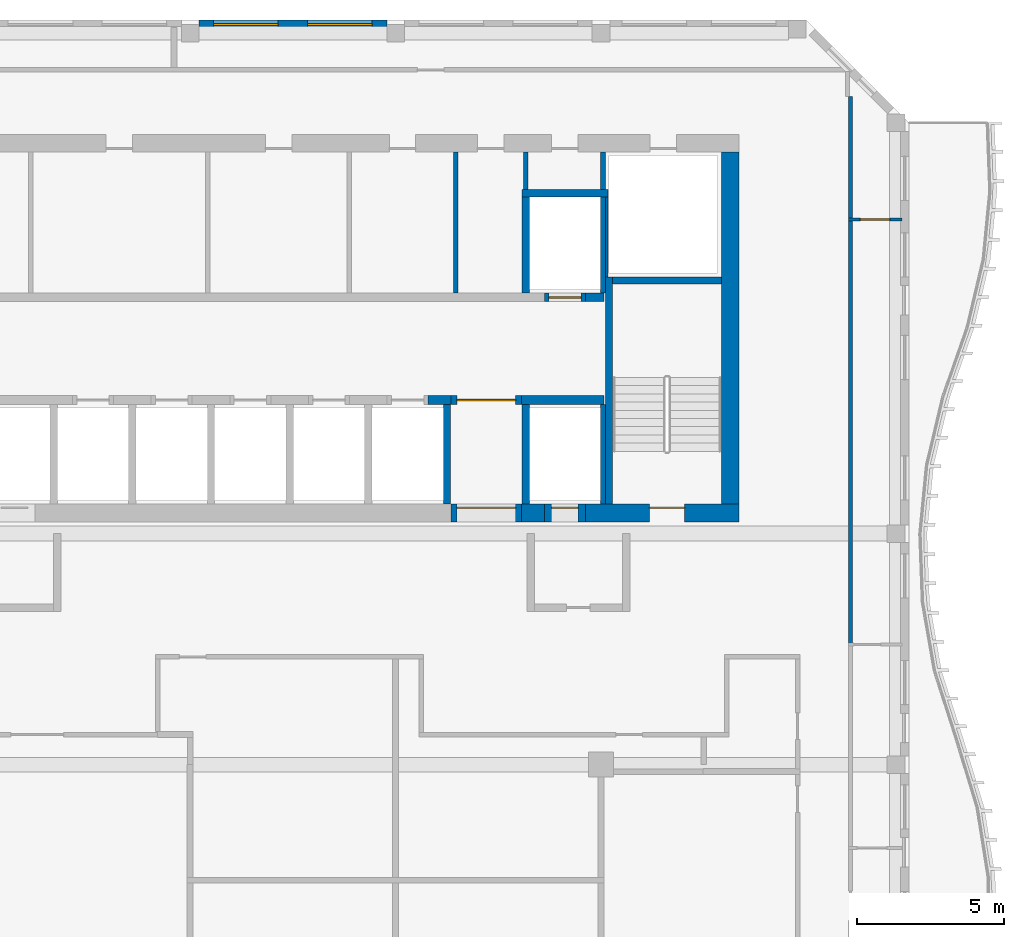
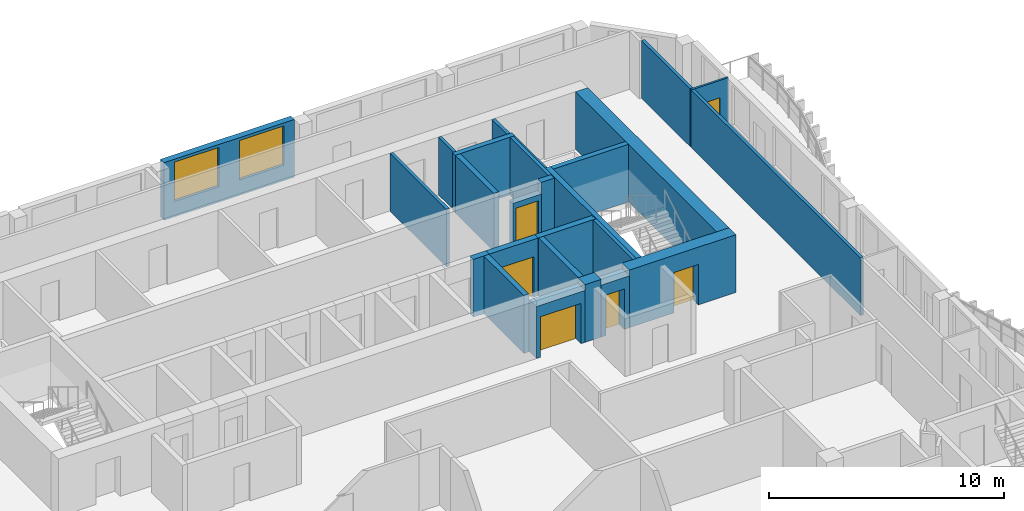
# One storey, part 8 of 14: 26 walls, 6 doors, 2 windows, 8 openings.
"""IFC4 building model written with IfcOpenShell, lengths in metres."""

from ifc_helpers import new_model, si_unit, direction, frame, frame_2d, origin, place, context, subcontext, project, spatial, rectangle, extrude, source, transform, mapped, material, layer, layer_set, type_object, element, fill, save


model = new_model("IFC4")

# Units and contexts
model_context = context("Model", 3, precision=1e-05, world=origin(), true_north=direction((0.0, 1.0)))
body_context = subcontext(model_context, "Body", "Model", "MODEL_VIEW")
ifc_project = project(units=[si_unit("LENGTHUNIT", "METRE"), si_unit("AREAUNIT", "SQUARE_METRE"), si_unit("VOLUMEUNIT", "CUBIC_METRE"), si_unit("PLANEANGLEUNIT", "RADIAN"), si_unit("MASSUNIT", "GRAM", prefix="KILO")], contexts=[model_context])

# Site, building, storey
site_placement = place(None, origin())
site = spatial("IfcSite", under=ifc_project, at=site_placement, CompositionType="ELEMENT")
building_placement = place(site_placement, origin())
building = spatial("IfcBuilding", under=site, at=building_placement, Name="Kilnfold Tower and Market Hall", CompositionType="ELEMENT")
storey_placement = place(building_placement, frame((0.0, 0.0, 315.39990234375)))
storey = spatial("IfcBuildingStorey", under=building, at=storey_placement, Name="L79", CompositionType="ELEMENT", Elevation=315.39990234375)

# Walls
ifc_material_1 = material(Name="Gypsum board on steel studs", Category="steel")
ifc_layer_1 = layer(ifc_material_1, 0.14990234375)
ifc_layer_set_1 = layer_set([ifc_layer_1], Name="Gypsum board on steel studs")
wall_type_1 = type_object("IfcWallType", Name="WALL CORRIDOR 150", PredefinedType="PARTITIONING", material=ifc_layer_set_1)
wall_1_placement = place(storey_placement, frame((21.5, 4.258056640625, 0.0), z_axis=(0.0, 0.0, 1.0), x_axis=(0.0, 1.0, 0.0)))
element("IfcWall", 1, at=wall_1_placement, inside=storey, type_object=wall_type_1, Name="Partition LY47.7", PredefinedType="PARTITIONING", context=body_context, shape_type="SweptSolid", body=[
    extrude(rectangle(XDim=14.406982421875, YDim=0.14990234375, at=frame_2d((7.20361328125, 0.0))), origin(), (0.0, 0.0, 1.0), 3.0),
])
wall_2_placement = place(storey_placement, frame((21.5, 18.7451171875, 0.0), z_axis=(0.0, 0.0, 1.0), x_axis=(0.0, 1.0, 0.0)))
element("IfcWall", 2, at=wall_2_placement, inside=storey, type_object=wall_type_1, Name="Partition LY47.9", PredefinedType="PARTITIONING", context=body_context, shape_type="SweptSolid", body=[
    extrude(rectangle(XDim=4.15478515625, YDim=0.14990234375, at=frame_2d((2.077392578125, 0.0))), origin(), (0.0, 0.0, 1.0), 3.0),
])

# Wall, opening, door
ifc_material_2 = material(Name="Gypsum board on steel studs", Category="steel")
ifc_layer_2 = layer(ifc_material_2, 0.10009765625)
ifc_layer_set_2 = layer_set([ifc_layer_2], Name="Gypsum board on steel studs")
wall_type_2 = type_object("IfcWallType", Name="WALL PARTITION 100", PredefinedType="PARTITIONING", material=ifc_layer_set_2)
wall_3_placement = place(storey_placement, frame((23.25, 18.705078125, 0.0), z_axis=(0.0, 0.0, 1.0), x_axis=(-1.0, 0.0, 0.0)))
wall_3 = element("IfcWall", 3, at=wall_3_placement, inside=storey, type_object=wall_type_2, Name="Partition LY47.68", PredefinedType="PARTITIONING", context=body_context, shape_type="SweptSolid", body=[
    extrude(rectangle(XDim=1.822998046875, YDim=0.10009765625, at=frame_2d((0.91162109375, 0.0))), origin(), (0.0, 0.0, 1.0), 3.0),
])
opening_1_placement = place(wall_3_placement, frame((0.412109375, 0.0, 0.0)))
opening_1 = element("IfcOpeningElement", 4, at=opening_1_placement, cuts=wall_3, Name="Opening D1", PredefinedType="OPENING", context=body_context, shape_type="SweptSolid", body=[
    extrude(rectangle(XDim=1.0, YDim=2.10009765625, at=frame_2d((0.5, 1.050048828125))), frame((0.0, 0.06005859375, 0.0), z_axis=(0.0, -1.0, 0.0), x_axis=(1.0, 0.0, 0.0)), (0.0, 0.0, 1.0), 0.1201171875),
])
ifc_material_3 = material(Name="Timber veneer door leaf in steel frame", Category="steel")
door_type_1 = type_object("IfcDoorType", Name="DOOR ENTRY 1000 X2100", OperationType="NOTDEFINED", PredefinedType="DOOR", material=ifc_material_3)
door_1_placement = place(opening_1_placement, origin())
door_1 = element("IfcDoor", 5, at=door_1_placement, inside=storey, type_object=door_type_1, Name="Door D1", OperationType="SINGLE_SWING_LEFT", OverallHeight=2.10009765625, OverallWidth=1.0, PredefinedType="DOOR", context=body_context, shape_type="SweptSolid", body=[
    extrude(rectangle(XDim=1.0, YDim=2.10009765625, at=frame_2d((0.5, 1.050048828125))), frame((0.0, 0.02490234375, 0.0), z_axis=(0.0, -1.0, 0.0), x_axis=(1.0, 0.0, 0.0)), (0.0, 0.0, 1.0), 0.050048828125),
])
fill(opening_1, door_1)

# Walls
ifc_material_4 = material(Name="Concrete C50", Category="concrete")
ifc_layer_3 = layer(ifc_material_4, 0.25)
ifc_layer_set_3 = layer_set([ifc_layer_3], Name="Concrete C50")
wall_type_3 = type_object("IfcWallType", Name="CORE WALL 250 C50", PredefinedType="SHEAR", material=ifc_layer_set_3)
shared_shape_1 = source(origin(), body_context, "Body", "SweptSolid", [
    extrude(rectangle(XDim=7.75, YDim=0.25, at=frame_2d((3.875, 0.0))), origin(), (0.0, 0.0, 1.0), 3.0),
])
wall_4_placement = place(storey_placement, frame((13.27490234375, 9.0, 0.0), z_axis=(0.0, 0.0, 1.0), x_axis=(0.0, 1.0, 0.0)))
element("IfcWall", 6, at=wall_4_placement, inside=storey, type_object=wall_type_3, Name="Stair enclosure ST2", PredefinedType="SHEAR", context=body_context, shape_type="MappedRepresentation", body=[
    mapped(shared_shape_1, transform((0.0, 0.0, 0.0))),
])
shared_shape_2 = source(origin(), body_context, "Body", "SweptSolid", [
    extrude(rectangle(XDim=3.7001953125, YDim=0.25, at=frame_2d((1.85009765625, 0.0))), origin(), (0.0, 0.0, 1.0), 3.0),
])
wall_5_placement = place(storey_placement, frame((13.39990234375, 16.625, 0.0), z_axis=(0.0, 0.0, 1.0), x_axis=(1.0, 0.0, 0.0)))
element("IfcWall", 7, at=wall_5_placement, inside=storey, type_object=wall_type_3, Name="Stair enclosure ST2", PredefinedType="SHEAR", context=body_context, shape_type="MappedRepresentation", body=[
    mapped(shared_shape_2, transform((0.0, 0.0, 0.0))),
])
ifc_material_5 = material(Name="Concrete C50", Category="concrete")
ifc_layer_4 = layer(ifc_material_5, 0.300048828125)
ifc_layer_set_4 = layer_set([ifc_layer_4], Name="Concrete C50")
wall_type_4 = type_object("IfcWallType", Name="CORE WALL 300 C50", PredefinedType="SHEAR", material=ifc_layer_set_4)
shared_shape_3 = source(origin(), body_context, "Body", "SweptSolid", [
    extrude(rectangle(XDim=0.77978515625, YDim=0.300048828125, at=frame_2d((0.389892578125, 0.0))), origin(), (0.0, 0.0, 1.0), 3.0),
])
wall_6_placement = place(storey_placement, frame((7.110107421875, 12.550048828125, 0.0), z_axis=(0.0, 0.0, 1.0), x_axis=(1.0, 0.0, 0.0)))
element("IfcWall", 8, at=wall_6_placement, inside=storey, type_object=wall_type_4, Name="Core spine wall", PredefinedType="SHEAR", context=body_context, shape_type="MappedRepresentation", body=[
    mapped(shared_shape_3, transform((0.0, 0.0, 0.0))),
])
shared_shape_4 = source(origin(), body_context, "Body", "SweptSolid", [
    extrude(rectangle(XDim=2.820068359375, YDim=0.300048828125, at=frame_2d((1.41015625, 0.0))), origin(), (0.0, 0.0, 1.0), 3.0),
])
wall_7_placement = place(storey_placement, frame((10.2900390625, 12.550048828125, 0.0), z_axis=(0.0, 0.0, 1.0), x_axis=(1.0, 0.0, 0.0)))
element("IfcWall", 9, at=wall_7_placement, inside=storey, type_object=wall_type_4, Name="Core spine wall", PredefinedType="SHEAR", context=body_context, shape_type="MappedRepresentation", body=[
    mapped(shared_shape_4, transform((0.0, 0.0, 0.0))),
])
shared_shape_5 = source(origin(), body_context, "Body", "SweptSolid", [
    extrude(rectangle(XDim=0.64013671875, YDim=0.300048828125, at=frame_2d((0.320068359375, 0.0))), origin(), (0.0, 0.0, 1.0), 3.0),
])
wall_8_placement = place(storey_placement, frame((12.469970703125, 16.050048828125, 0.0), z_axis=(0.0, 0.0, 1.0), x_axis=(1.0, 0.0, 0.0)))
element("IfcWall", 10, at=wall_8_placement, inside=storey, type_object=wall_type_4, Name="Core spine wall", PredefinedType="SHEAR", context=body_context, shape_type="MappedRepresentation", body=[
    mapped(shared_shape_5, transform((0.0, 0.0, 0.0))),
])

# Wall, opening, door
ifc_material_6 = material(Name="Concrete C50", Category="concrete")
ifc_layer_5 = layer(ifc_material_6, 0.60009765625)
ifc_layer_set_5 = layer_set([ifc_layer_5], Name="Concrete C50")
wall_type_5 = type_object("IfcWallType", Name="CORE WALL 600 C50", PredefinedType="SHEAR", material=ifc_layer_set_5)
shared_shape_6 = source(origin(), body_context, "Body", "SweptSolid", [
    extrude(rectangle(XDim=5.22998046875, YDim=0.60009765625, at=frame_2d((2.614990234375, 0.0))), origin(), (0.0, 0.0, 1.0), 3.0),
])
wall_9_placement = place(storey_placement, frame((12.469970703125, 8.699951171875, 0.0), z_axis=(0.0, 0.0, 1.0), x_axis=(1.0, 0.0, 0.0)))
wall_9 = element("IfcWall", 11, at=wall_9_placement, inside=storey, type_object=wall_type_5, Name="Core outer wall south", PredefinedType="SHEAR", context=body_context, shape_type="MappedRepresentation", body=[
    mapped(shared_shape_6, transform((0.0, 0.0, 0.0))),
])
opening_2_placement = place(wall_9_placement, frame((2.179931640625, 0.0, 0.0)))
opening_2 = element("IfcOpeningElement", 12, at=opening_2_placement, cuts=wall_9, Name="Opening SD1", PredefinedType="OPENING", context=body_context, shape_type="SweptSolid", body=[
    extrude(rectangle(XDim=1.199951171875, YDim=2.10009765625, at=frame_2d((0.60009765625, 1.050048828125))), frame((0.0, 0.31005859375, 0.0), z_axis=(0.0, -1.0, 0.0), x_axis=(1.0, 0.0, 0.0)), (0.0, 0.0, 1.0), 0.6201171875),
])
ifc_material_7 = material(Name="Steel door set with fire-resisting leaf", Category="steel")
door_type_2 = type_object("IfcDoorType", Name="STAIR FLOOR DOOR 1200X2100", OperationType="NOTDEFINED", PredefinedType="DOOR", material=ifc_material_7)
door_2_placement = place(opening_2_placement, origin())
door_2 = element("IfcDoor", 13, at=door_2_placement, inside=storey, type_object=door_type_2, Name="Exit stair ST2 door", OperationType="DOUBLE_DOOR_SINGLE_SWING", OverallHeight=2.10009765625, OverallWidth=1.199951171875, PredefinedType="DOOR", context=body_context, shape_type="SweptSolid", body=[
    extrude(rectangle(XDim=1.199951171875, YDim=2.10009765625, at=frame_2d((0.60009765625, 1.050048828125))), frame((0.0, 0.205078125, 0.0), z_axis=(0.0, -1.0, 0.0), x_axis=(1.0, 0.0, 0.0)), (0.0, 0.0, 1.0), 0.050048828125),
])
fill(opening_2, door_2)

# Walls
shared_shape_7 = source(origin(), body_context, "Body", "SweptSolid", [
    extrude(rectangle(XDim=0.780029296875, YDim=0.60009765625, at=frame_2d((0.39013671875, 0.0))), origin(), (0.0, 0.0, 1.0), 3.0),
])
wall_10_placement = place(storey_placement, frame((10.2900390625, 8.699951171875, 0.0), z_axis=(0.0, 0.0, 1.0), x_axis=(1.0, 0.0, 0.0)))
element("IfcWall", 14, at=wall_10_placement, inside=storey, type_object=wall_type_5, Name="Core outer wall south", PredefinedType="SHEAR", context=body_context, shape_type="MappedRepresentation", body=[
    mapped(shared_shape_7, transform((0.0, 0.0, 0.0))),
])
shared_shape_8 = source(origin(), body_context, "Body", "SweptSolid", [
    extrude(rectangle(XDim=12.0, YDim=0.60009765625, at=frame_2d((6.0, 0.0))), origin(), (0.0, 0.0, 1.0), 3.0),
])
wall_11_placement = place(storey_placement, frame((17.39990234375, 9.0, 0.0), z_axis=(0.0, 0.0, 1.0), x_axis=(0.0, 1.0, 0.0)))
element("IfcWall", 15, at=wall_11_placement, inside=storey, type_object=wall_type_5, Name="Core outer wall east", PredefinedType="SHEAR", context=body_context, shape_type="MappedRepresentation", body=[
    mapped(shared_shape_8, transform((0.0, 0.0, 0.0))),
])

# Wall, openings, windows
ifc_material_8 = material(Name="Precast concrete C50/60", Category="concrete")
ifc_layer_6 = layer(ifc_material_8, 0.300048828125)
ifc_layer_set_6 = layer_set([ifc_layer_6], Name="Precast concrete C50/60")
wall_type_6 = type_object("IfcWallType", Name="PRECAST WALL 300", PredefinedType="SOLIDWALL", material=ifc_layer_set_6)
shared_shape_9 = source(origin(), body_context, "Body", "SweptSolid", [
    extrude(rectangle(XDim=6.39990234375, YDim=0.300048828125, at=frame_2d((3.199951171875, 0.0))), origin(), (0.0, 0.0, 1.0), 3.0),
])
wall_12_placement = place(storey_placement, frame((5.699951171875, 25.35009765625, 0.0), z_axis=(0.0, 0.0, 1.0), x_axis=(-1.0, 0.0, 0.0)))
wall_12 = element("IfcWall", 16, at=wall_12_placement, inside=storey, type_object=wall_type_6, Name="External wall L79 N", PredefinedType="SOLIDWALL", context=body_context, shape_type="MappedRepresentation", body=[
    mapped(shared_shape_9, transform((0.0, 0.0, 0.0))),
])
opening_3_placement = place(wall_12_placement, frame((0.5, 0.0, 0.800048828125)))
opening_3 = element("IfcOpeningElement", 17, at=opening_3_placement, cuts=wall_12, Name="Opening W3", PredefinedType="OPENING", context=body_context, shape_type="SweptSolid", body=[
    extrude(rectangle(XDim=2.199951171875, YDim=2.050048828125, at=frame_2d((1.10009765625, 1.02490234375))), frame((0.0, 0.16015625, 0.0), z_axis=(0.0, -1.0, 0.0), x_axis=(1.0, 0.0, 0.0)), (0.0, 0.0, 1.0), 0.320068359375),
])
opening_4_placement = place(wall_12_placement, frame((3.699951171875, 0.0, 0.800048828125)))
opening_4 = element("IfcOpeningElement", 18, at=opening_4_placement, cuts=wall_12, Name="Opening W3", PredefinedType="OPENING", context=body_context, shape_type="SweptSolid", body=[
    extrude(rectangle(XDim=2.199951171875, YDim=2.050048828125, at=frame_2d((1.10009765625, 1.02490234375))), frame((0.0, 0.16015625, 0.0), z_axis=(0.0, -1.0, 0.0), x_axis=(1.0, 0.0, 0.0)), (0.0, 0.0, 1.0), 0.320068359375),
])
ifc_material_9 = material(Name="Aluminium frame and double glazing", Category="aluminium")
window_type = type_object("IfcWindowType", Name="WINDOW W3 2200X2050", PartitioningType="SINGLE_PANEL", PredefinedType="WINDOW", material=ifc_material_9)
window_1_placement = place(opening_3_placement, origin())
window_1 = element("IfcWindow", 19, at=window_1_placement, inside=storey, type_object=window_type, Name="Window W3 L79 N-1", OverallHeight=2.050048828125, OverallWidth=2.199951171875, PartitioningType="SINGLE_PANEL", PredefinedType="WINDOW", context=body_context, shape_type="SweptSolid", body=[
    extrude(rectangle(XDim=2.199951171875, YDim=2.050048828125, at=frame_2d((1.10009765625, 1.02490234375))), frame((0.0, 0.030029296875, 0.0), z_axis=(0.0, -1.0, 0.0), x_axis=(1.0, 0.0, 0.0)), (0.0, 0.0, 1.0), 0.06005859375),
])
fill(opening_3, window_1)
window_2_placement = place(opening_4_placement, origin())
window_2 = element("IfcWindow", 20, at=window_2_placement, inside=storey, type_object=window_type, Name="Window W3 L79 N-2", OverallHeight=2.050048828125, OverallWidth=2.199951171875, PartitioningType="SINGLE_PANEL", PredefinedType="WINDOW", context=body_context, shape_type="SweptSolid", body=[
    extrude(rectangle(XDim=2.199951171875, YDim=2.050048828125, at=frame_2d((1.10009765625, 1.02490234375))), frame((0.0, 0.030029296875, 0.0), z_axis=(0.0, -1.0, 0.0), x_axis=(1.0, 0.0, 0.0)), (0.0, 0.0, 1.0), 0.06005859375),
])
fill(opening_4, window_2)

# Wall, opening, door
ifc_material_10 = material(Name="Gypsum shaft wall system")
ifc_layer_7 = layer(ifc_material_10, 0.300048828125)
ifc_layer_set_7 = layer_set([ifc_layer_7], Name="Gypsum shaft wall system")
wall_type_7 = type_object("IfcWallType", Name="SHAFT WALL 300", PredefinedType="PARTITIONING", material=ifc_layer_set_7)
shared_shape_10 = source(origin(), body_context, "Body", "SweptSolid", [
    extrude(rectangle(XDim=2.400146484375, YDim=0.300048828125, at=frame_2d((1.2001953125, 0.0))), origin(), (0.0, 0.0, 1.0), 3.0),
])
wall_13_placement = place(storey_placement, frame((7.889892578125, 12.550048828125, 0.0), z_axis=(0.0, 0.0, 1.0), x_axis=(1.0, 0.0, 0.0)))
wall_13 = element("IfcWall", 21, at=wall_13_placement, inside=storey, type_object=wall_type_7, Name="Lift shaft front wall", PredefinedType="PARTITIONING", context=body_context, shape_type="MappedRepresentation", body=[
    mapped(shared_shape_10, transform((0.0, 0.0, 0.0))),
])
opening_5_placement = place(wall_13_placement, frame((0.199951171875, 0.0, 0.0)))
opening_5 = element("IfcOpeningElement", 22, at=opening_5_placement, cuts=wall_13, Name="Opening VD2", PredefinedType="OPENING", context=body_context, shape_type="SweptSolid", body=[
    extrude(rectangle(XDim=2.0, YDim=2.10009765625, at=frame_2d((1.0, 1.050048828125))), frame((0.0, 0.16015625, 0.0), z_axis=(0.0, -1.0, 0.0), x_axis=(1.0, 0.0, 0.0)), (0.0, 0.0, 1.0), 0.320068359375),
])
ifc_material_11 = material(Name="Steel door set with fire-resisting leaf", Category="steel")
door_type_3 = type_object("IfcDoorType", Name="LIFT LOBBY ENTRANCE DOOR 2000X2100", OperationType="NOTDEFINED", PredefinedType="DOOR", material=ifc_material_11)
door_3_placement = place(opening_5_placement, origin())
door_3 = element("IfcDoor", 23, at=door_3_placement, inside=storey, type_object=door_type_3, Name="Lift lobby entrance door", OperationType="DOUBLE_DOOR_SINGLE_SWING", OverallHeight=2.10009765625, OverallWidth=2.0, PredefinedType="DOOR", context=body_context, shape_type="SweptSolid", body=[
    extrude(rectangle(XDim=2.0, YDim=2.10009765625, at=frame_2d((1.0, 1.050048828125))), frame((0.0, 0.02490234375, 0.0), z_axis=(0.0, -1.0, 0.0), x_axis=(1.0, 0.0, 0.0)), (0.0, 0.0, 1.0), 0.050048828125),
])
fill(opening_5, door_3)

# Walls
ifc_material_12 = material(Name="Gypsum shaft wall system")
ifc_layer_8 = layer(ifc_material_12, 0.1650390625)
ifc_layer_set_8 = layer_set([ifc_layer_8], Name="Gypsum shaft wall system")
wall_type_8 = type_object("IfcWallType", Name="SHAFT WALL 165", PredefinedType="PARTITIONING", material=ifc_layer_set_8)
shared_shape_11 = source(origin(), body_context, "Body", "SweptSolid", [
    extrude(rectangle(XDim=3.275146484375, YDim=0.1650390625, at=frame_2d((1.6376953125, 0.0))), origin(), (0.0, 0.0, 1.0), 3.0),
])
wall_14_placement = place(storey_placement, frame((13.0673828125, 16.199951171875, 0.0), z_axis=(0.0, 0.0, 1.0), x_axis=(0.0, 1.0, 0.0)))
element("IfcWall", 24, at=wall_14_placement, inside=storey, type_object=wall_type_8, Name="Lift shaft wall", PredefinedType="PARTITIONING", context=body_context, shape_type="MappedRepresentation", body=[
    mapped(shared_shape_11, transform((0.0, 0.0, 0.0))),
])
shared_shape_12 = source(origin(), body_context, "Body", "SweptSolid", [
    extrude(rectangle(XDim=1.27490234375, YDim=0.1650390625, at=frame_2d((0.637451171875, 0.0))), origin(), (0.0, 0.0, 1.0), 3.0),
])
wall_15_placement = place(storey_placement, frame((13.0673828125, 19.72509765625, 0.0), z_axis=(0.0, 0.0, 1.0), x_axis=(0.0, 1.0, 0.0)))
element("IfcWall", 25, at=wall_15_placement, inside=storey, type_object=wall_type_8, Name="Lift shaft wall", PredefinedType="PARTITIONING", context=body_context, shape_type="MappedRepresentation", body=[
    mapped(shared_shape_12, transform((0.0, 0.0, 0.0))),
])
ifc_material_13 = material(Name="Gypsum shaft wall system")
ifc_layer_9 = layer(ifc_material_13, 0.25)
ifc_layer_set_9 = layer_set([ifc_layer_9], Name="Gypsum shaft wall system")
wall_type_9 = type_object("IfcWallType", Name="SHAFT WALL 250", PredefinedType="PARTITIONING", material=ifc_layer_set_9)
shared_shape_13 = source(origin(), body_context, "Body", "SweptSolid", [
    extrude(rectangle(XDim=3.275146484375, YDim=0.25, at=frame_2d((1.6376953125, 0.0))), origin(), (0.0, 0.0, 1.0), 3.0),
])
wall_16_placement = place(storey_placement, frame((10.429931640625, 16.199951171875, 0.0), z_axis=(0.0, 0.0, 1.0), x_axis=(0.0, 1.0, 0.0)))
element("IfcWall", 26, at=wall_16_placement, inside=storey, type_object=wall_type_9, Name="Lift shaft wall", PredefinedType="PARTITIONING", context=body_context, shape_type="MappedRepresentation", body=[
    mapped(shared_shape_13, transform((0.0, 0.0, 0.0))),
])
ifc_material_14 = material(Name="Gypsum shaft wall system")
ifc_layer_10 = layer(ifc_material_14, 0.0849609375)
ifc_layer_set_10 = layer_set([ifc_layer_10], Name="Gypsum shaft wall system")
wall_type_10 = type_object("IfcWallType", Name="SHAFT WALL 85", PredefinedType="PARTITIONING", material=ifc_layer_set_10)
shared_shape_14 = source(origin(), body_context, "Body", "SweptSolid", [
    extrude(rectangle(XDim=2.72509765625, YDim=0.0849609375, at=frame_2d((1.362548828125, 0.0))), origin(), (0.0, 0.0, 1.0), 3.0),
])
wall_17_placement = place(storey_placement, frame((13.1923828125, 16.75, 0.0), z_axis=(0.0, 0.0, 1.0), x_axis=(0.0, 1.0, 0.0)))
element("IfcWall", 27, at=wall_17_placement, inside=storey, type_object=wall_type_10, Name="Lift shaft wall", PredefinedType="PARTITIONING", context=body_context, shape_type="MappedRepresentation", body=[
    mapped(shared_shape_14, transform((0.0, 0.0, 0.0))),
])
shared_shape_15 = source(origin(), body_context, "Body", "SweptSolid", [
    extrude(rectangle(XDim=3.39990234375, YDim=0.25, at=frame_2d((1.699951171875, 0.0))), origin(), (0.0, 0.0, 1.0), 3.0),
])
for number, where, z_axis, x_axis, name in (
    (28, (10.429931640625, 9.0, 0.0), (0.0, 0.0, 1.0), (0.0, 1.0, 0.0), "Lift shaft wall"),
    (29, (7.75, 9.0, 0.0), (0.0, 0.0, 1.0), (0.0, 1.0, 0.0), "Lift shaft wall"),
):
    element("IfcWall", number, at=place(storey_placement, frame(where, z_axis=z_axis, x_axis=x_axis)), inside=storey, type_object=wall_type_9, Name=name, PredefinedType="PARTITIONING", context=body_context, shape_type="MappedRepresentation", body=[
        mapped(shared_shape_15, transform((0.0, 0.0, 0.0))),
    ])
shared_shape_16 = source(origin(), body_context, "Body", "SweptSolid", [
    extrude(rectangle(XDim=3.39990234375, YDim=0.1650390625, at=frame_2d((1.699951171875, 0.0))), origin(), (0.0, 0.0, 1.0), 3.0),
])
wall_18_placement = place(storey_placement, frame((13.0673828125, 9.0, 0.0), z_axis=(0.0, 0.0, 1.0), x_axis=(0.0, 1.0, 0.0)))
element("IfcWall", 30, at=wall_18_placement, inside=storey, type_object=wall_type_8, Name="Lift shaft wall", PredefinedType="PARTITIONING", context=body_context, shape_type="MappedRepresentation", body=[
    mapped(shared_shape_16, transform((0.0, 0.0, 0.0))),
])
ifc_material_15 = material(Name="Gypsum shaft wall system")
ifc_layer_11 = layer(ifc_material_15, 0.14990234375)
ifc_layer_set_11 = layer_set([ifc_layer_11], Name="Gypsum shaft wall system")
wall_type_11 = type_object("IfcWallType", Name="ROOM WALL 150", PredefinedType="PARTITIONING", material=ifc_layer_set_11)
shared_shape_17 = source(origin(), body_context, "Body", "SweptSolid", [
    extrude(rectangle(XDim=4.800048828125, YDim=0.14990234375, at=frame_2d((2.39990234375, 0.0))), origin(), (0.0, 0.0, 1.0), 3.0),
])
wall_19_placement = place(storey_placement, frame((8.044921875, 16.199951171875, 0.0), z_axis=(0.0, 0.0, 1.0), x_axis=(0.0, 1.0, 0.0)))
element("IfcWall", 31, at=wall_19_placement, inside=storey, type_object=wall_type_11, Name="Core room wall", PredefinedType="PARTITIONING", context=body_context, shape_type="MappedRepresentation", body=[
    mapped(shared_shape_17, transform((0.0, 0.0, 0.0))),
])
shared_shape_18 = source(origin(), body_context, "Body", "SweptSolid", [
    extrude(rectangle(XDim=1.27490234375, YDim=0.14990234375, at=frame_2d((0.637451171875, 0.0))), origin(), (0.0, 0.0, 1.0), 3.0),
])
wall_20_placement = place(storey_placement, frame((10.429931640625, 19.72509765625, 0.0), z_axis=(0.0, 0.0, 1.0), x_axis=(0.0, 1.0, 0.0)))
element("IfcWall", 32, at=wall_20_placement, inside=storey, type_object=wall_type_11, Name="Core room wall", PredefinedType="PARTITIONING", context=body_context, shape_type="MappedRepresentation", body=[
    mapped(shared_shape_18, transform((0.0, 0.0, 0.0))),
])
shared_shape_19 = source(origin(), body_context, "Body", "SweptSolid", [
    extrude(rectangle(XDim=2.93017578125, YDim=0.25, at=frame_2d((1.465087890625, 0.0))), origin(), (0.0, 0.0, 1.0), 3.0),
])
wall_21_placement = place(storey_placement, frame((10.304931640625, 19.60009765625, 0.0), z_axis=(0.0, 0.0, 1.0), x_axis=(1.0, 0.0, 0.0)))
element("IfcWall", 33, at=wall_21_placement, inside=storey, type_object=wall_type_9, Name="Lift shaft wall", PredefinedType="PARTITIONING", context=body_context, shape_type="MappedRepresentation", body=[
    mapped(shared_shape_19, transform((0.0, 0.0, 0.0))),
])

# Wall, opening, door
ifc_material_16 = material(Name="Gypsum shaft wall system")
ifc_layer_12 = layer(ifc_material_16, 0.60009765625)
ifc_layer_set_12 = layer_set([ifc_layer_12], Name="Gypsum shaft wall system")
wall_type_12 = type_object("IfcWallType", Name="LOBBY WALL 600", PredefinedType="PARTITIONING", material=ifc_layer_set_12)
shared_shape_20 = source(origin(), body_context, "Body", "SweptSolid", [
    extrude(rectangle(XDim=1.39990234375, YDim=0.60009765625, at=frame_2d((0.699951171875, 0.0))), origin(), (0.0, 0.0, 1.0), 2.7001953125),
])
wall_22_placement = place(storey_placement, frame((11.070068359375, 8.699951171875, 0.0), z_axis=(0.0, 0.0, 1.0), x_axis=(1.0, 0.0, 0.0)))
wall_22 = element("IfcWall", 34, at=wall_22_placement, inside=storey, type_object=wall_type_12, Name="Core wall infill", PredefinedType="PARTITIONING", context=body_context, shape_type="MappedRepresentation", body=[
    mapped(shared_shape_20, transform((0.0, 0.0, 0.0))),
])
opening_6_placement = place(wall_22_placement, frame((0.25, 0.0, 0.0)))
opening_6 = element("IfcOpeningElement", 35, at=opening_6_placement, cuts=wall_22, Name="Opening LD1", PredefinedType="OPENING", context=body_context, shape_type="SweptSolid", body=[
    extrude(rectangle(XDim=0.89990234375, YDim=2.10009765625, at=frame_2d((0.449951171875, 1.050048828125))), frame((0.0, 0.31005859375, 0.0), z_axis=(0.0, -1.0, 0.0), x_axis=(1.0, 0.0, 0.0)), (0.0, 0.0, 1.0), 0.6201171875),
])
ifc_material_17 = material(Name="Steel door set with fire-resisting leaf", Category="steel")
door_type_4 = type_object("IfcDoorType", Name="FIREFIGHTING LANDING DOOR 900X2100", OperationType="NOTDEFINED", PredefinedType="DOOR", material=ifc_material_17)
door_4_placement = place(opening_6_placement, origin())
door_4 = element("IfcDoor", 36, at=door_4_placement, inside=storey, type_object=door_type_4, Name="Landing door FF3", OperationType="SLIDING_TO_LEFT", OverallHeight=2.10009765625, OverallWidth=0.89990234375, PredefinedType="DOOR", context=body_context, shape_type="SweptSolid", body=[
    extrude(rectangle(XDim=0.89990234375, YDim=2.10009765625, at=frame_2d((0.449951171875, 1.050048828125))), frame((0.0, 0.205078125, 0.0), z_axis=(0.0, -1.0, 0.0), x_axis=(1.0, 0.0, 0.0)), (0.0, 0.0, 1.0), 0.050048828125),
])
fill(opening_6, door_4)

shared_shape_21 = source(origin(), body_context, "Body", "SweptSolid", [
    extrude(rectangle(XDim=2.400146484375, YDim=0.60009765625, at=frame_2d((1.2001953125, 0.0))), origin(), (0.0, 0.0, 1.0), 2.7001953125),
])
wall_23_placement = place(storey_placement, frame((7.889892578125, 8.699951171875, 0.0), z_axis=(0.0, 0.0, 1.0), x_axis=(1.0, 0.0, 0.0)))
wall_23 = element("IfcWall", 37, at=wall_23_placement, inside=storey, type_object=wall_type_12, Name="Core wall infill", PredefinedType="PARTITIONING", context=body_context, shape_type="MappedRepresentation", body=[
    mapped(shared_shape_21, transform((0.0, 0.0, 0.0))),
])
opening_7_placement = place(wall_23_placement, frame((0.199951171875, 0.0, 0.0)))
opening_7 = element("IfcOpeningElement", 38, at=opening_7_placement, cuts=wall_23, Name="Opening VD2", PredefinedType="OPENING", context=body_context, shape_type="SweptSolid", body=[
    extrude(rectangle(XDim=2.0, YDim=2.10009765625, at=frame_2d((1.0, 1.050048828125))), frame((0.0, 0.31005859375, 0.0), z_axis=(0.0, -1.0, 0.0), x_axis=(1.0, 0.0, 0.0)), (0.0, 0.0, 1.0), 0.6201171875),
])
door_5_placement = place(opening_7_placement, origin())
door_5 = element("IfcDoor", 39, at=door_5_placement, inside=storey, type_object=door_type_3, Name="Lift lobby entrance door", OperationType="DOUBLE_DOOR_SINGLE_SWING", OverallHeight=2.10009765625, OverallWidth=2.0, PredefinedType="DOOR", context=body_context, shape_type="SweptSolid", body=[
    extrude(rectangle(XDim=2.0, YDim=2.10009765625, at=frame_2d((1.0, 1.050048828125))), frame((0.0, 0.205078125, 0.0), z_axis=(0.0, -1.0, 0.0), x_axis=(1.0, 0.0, 0.0)), (0.0, 0.0, 1.0), 0.050048828125),
])
fill(opening_7, door_5)

shared_shape_22 = source(origin(), body_context, "Body", "SweptSolid", [
    extrude(rectangle(XDim=1.39990234375, YDim=0.300048828125, at=frame_2d((0.699951171875, 0.0))), origin(), (0.0, 0.0, 1.0), 2.400146484375),
])
wall_24_placement = place(storey_placement, frame((11.070068359375, 16.050048828125, 0.0), z_axis=(0.0, 0.0, 1.0), x_axis=(1.0, 0.0, 0.0)))
wall_24 = element("IfcWall", 40, at=wall_24_placement, inside=storey, type_object=wall_type_7, Name="Lift shaft front wall", PredefinedType="PARTITIONING", context=body_context, shape_type="MappedRepresentation", body=[
    mapped(shared_shape_22, transform((0.0, 0.0, 0.0))),
])
opening_8_placement = place(wall_24_placement, frame((0.14990234375, 0.0, 0.0)))
opening_8 = element("IfcOpeningElement", 41, at=opening_8_placement, cuts=wall_24, Name="Opening LD2", PredefinedType="OPENING", context=body_context, shape_type="SweptSolid", body=[
    extrude(rectangle(XDim=1.10009765625, YDim=2.10009765625, at=frame_2d((0.550048828125, 1.050048828125))), frame((0.0, 0.16015625, 0.0), z_axis=(0.0, -1.0, 0.0), x_axis=(1.0, 0.0, 0.0)), (0.0, 0.0, 1.0), 0.320068359375),
])
ifc_material_18 = material(Name="Steel door set with fire-resisting leaf", Category="steel")
door_type_5 = type_object("IfcDoorType", Name="LANDING DOOR 1100X2100", OperationType="NOTDEFINED", PredefinedType="DOOR", material=ifc_material_18)
door_6_placement = place(opening_8_placement, origin())
door_6 = element("IfcDoor", 42, at=door_6_placement, inside=storey, type_object=door_type_5, Name="Landing door HR6", OperationType="DOUBLE_DOOR_SLIDING", OverallHeight=2.10009765625, OverallWidth=1.10009765625, PredefinedType="DOOR", context=body_context, shape_type="SweptSolid", body=[
    extrude(rectangle(XDim=1.10009765625, YDim=2.10009765625, at=frame_2d((0.550048828125, 1.050048828125))), frame((0.0, 0.02490234375, 0.0), z_axis=(0.0, -1.0, 0.0), x_axis=(1.0, 0.0, 0.0)), (0.0, 0.0, 1.0), 0.050048828125),
])
fill(opening_8, door_6)

save(model, "model.ifc")
